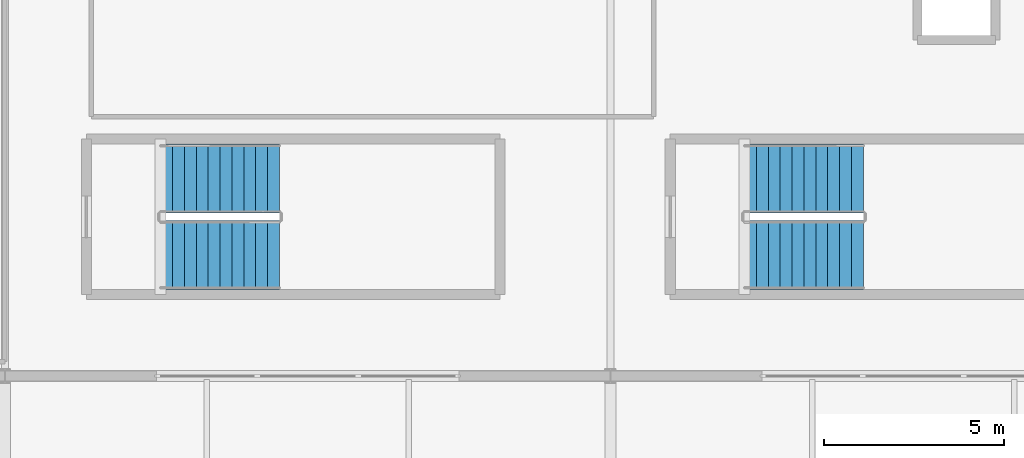
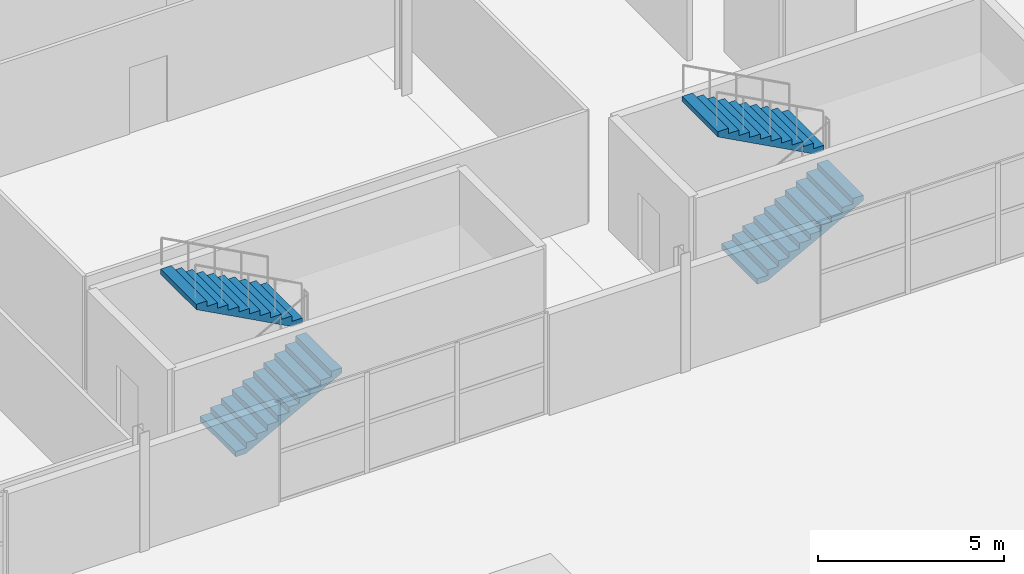
# One storey, part 32 of 36: 4 stair flights, 2 elements without a shape of their own.
"""IFC4 building model written with IfcOpenShell, lengths in metres."""

import ifcopenshell
import ifcopenshell.guid

model = None  # the IFC model being written
_history = None  # IfcOwnerHistory: only IFC2X3 demands one
_inside = {}  # id of a spatial element -> (the spatial element, [elements in it])
_under = {}  # id of a project, library or spatial element -> (it, [spatial elements below it])
_declared = {}  # id of a project -> (the project, [libraries it declares])
_typed = {}  # id of a type object -> (the type object, [elements of that type])
_made_of = {}  # id of a material, layer set ... -> (it, [elements and type objects made of it])


def new_model(schema):
    """Start an empty IFC model of exactly this schema.

    Asked for "IFC4X3", IfcOpenShell would pick the latest addendum, in which some entities
    have other attributes; the version numbers below select the first issue.
    IFC2X3 requires an IfcOwnerHistory on every rooted entity: one is made here for all.
    """
    global model, _history
    if schema == "IFC4X3":
        model = ifcopenshell.file(schema_version=(4, 3, 0, 0))
    else:
        model = ifcopenshell.file(schema=schema)
    _inside.clear()
    _under.clear()
    _declared.clear()
    _typed.clear()
    _made_of.clear()
    _history = None
    if model.schema == "IFC2X3":
        org = make("IfcOrganization", Name="unknown")
        user = make(
            "IfcPersonAndOrganization",
            ThePerson=make("IfcPerson", FamilyName="unknown"),
            TheOrganization=org,
        )
        app = make(
            "IfcApplication",
            ApplicationDeveloper=org,
            Version="unknown",
            ApplicationFullName="unknown",
            ApplicationIdentifier="unknown",
        )
        _history = make(
            "IfcOwnerHistory",
            OwningUser=user,
            OwningApplication=app,
            ChangeAction="ADDED",
            CreationDate=0,
        )
    return model


def make(cls, **values):
    """One entity of the class cls with the attributes given. An attribute that is None is left unset."""
    return model.create_entity(
        cls, **{name: value for name, value in values.items() if value is not None}
    )


def rooted(cls, **values):
    """An entity with a GlobalId (a new one), such as an element, a storey or a relation."""
    return make(cls, GlobalId=ifcopenshell.guid.new(), OwnerHistory=_history, **values)


def si_unit(unit_type, name, prefix=None):
    """IfcSIUnit, for example si_unit("LENGTHUNIT", "METRE", prefix="MILLI")."""
    return make("IfcSIUnit", UnitType=unit_type, Prefix=prefix, Name=name)


def assignment(units):
    """IfcUnitAssignment: the units of a project."""
    return None if units is None else make("IfcUnitAssignment", Units=units)


def point(xyz):
    """IfcCartesianPoint."""
    return None if xyz is None else make("IfcCartesianPoint", Coordinates=xyz)


def direction(xyz):
    """IfcDirection."""
    return None if xyz is None else make("IfcDirection", DirectionRatios=xyz)


def frame(location, z_axis=None, x_axis=None):
    """IfcAxis2Placement3D, a coordinate frame: its origin and axes. An axis left out is left unset."""
    return make(
        "IfcAxis2Placement3D",
        Location=point(location),
        Axis=direction(z_axis),
        RefDirection=direction(x_axis),
    )


def origin():
    """The frame at (0, 0, 0) with its axes left unset."""
    return frame((0.0, 0.0, 0.0))


def place(relative_to, where):
    """IfcLocalPlacement: puts the frame where relative to a parent placement (None: the world)."""
    return make(
        "IfcLocalPlacement", PlacementRelTo=relative_to, RelativePlacement=where
    )


def context(
    kind, dimensions, precision=None, world=None, true_north=None, identifier=None
):
    """IfcGeometricRepresentationContext, for example the 3D "Model" context."""
    return make(
        "IfcGeometricRepresentationContext",
        ContextIdentifier=identifier,
        ContextType=kind,
        CoordinateSpaceDimension=dimensions,
        Precision=precision,
        WorldCoordinateSystem=world,
        TrueNorth=true_north,
    )


def subcontext(parent, identifier, kind, view, scale=None):
    """IfcGeometricRepresentationSubContext, for example "Body" below "Model"."""
    return make(
        "IfcGeometricRepresentationSubContext",
        ContextIdentifier=identifier,
        ContextType=kind,
        ParentContext=parent,
        TargetScale=scale,
        TargetView=view,
    )


def project(units=None, contexts=None):
    """IfcProject with its units and contexts."""
    return rooted(
        "IfcProject",
        Name="project",
        RepresentationContexts=contexts,
        UnitsInContext=assignment(units),
    )


def spatial(cls, under=None, at=None, **own):
    """A site, building, storey or space (cls), placed at a placement, below another one or the project."""
    s = rooted(cls, ObjectPlacement=at, **own)
    if under is not None:
        _under.setdefault(under.id(), (under, []))[1].append(s)
    return s


def polyline(points):
    """IfcPolyline through the points."""
    return make("IfcPolyline", Points=[point(p) for p in points])


def outline(outer, holes=None, kind="AREA"):
    """IfcArbitraryClosedProfileDef: a profile drawn as a closed curve; with holes, ...WithVoids."""
    if holes is None:
        return make("IfcArbitraryClosedProfileDef", ProfileType=kind, OuterCurve=outer)
    return make(
        "IfcArbitraryProfileDefWithVoids",
        ProfileType=kind,
        OuterCurve=outer,
        InnerCurves=holes,
    )


def extrude(swept, where, along, depth):
    """IfcExtrudedAreaSolid: the profile swept, set in the frame where, extruded along a direction by depth."""
    return make(
        "IfcExtrudedAreaSolid",
        SweptArea=swept,
        Position=where,
        ExtrudedDirection=direction(along),
        Depth=depth,
    )


def shape(context_of_items, identifier, shape_type, items):
    """IfcShapeRepresentation: the items that make up one representation, for example the "Body"."""
    return make(
        "IfcShapeRepresentation",
        ContextOfItems=context_of_items,
        RepresentationIdentifier=identifier,
        RepresentationType=shape_type,
        Items=items,
    )


def material(Name=None, Category=None):
    """IfcMaterial."""
    return make("IfcMaterial", Name=Name, Category=Category)


def made_of(thing, what):
    """Note that an element or type object is made of a material, layer set ...; save() writes the relation."""
    if what is not None:
        _made_of.setdefault(what.id(), (what, []))[1].append(thing)
    return thing


def type_object(cls, material=None, **own):
    """A type object (cls), such as IfcWallType, which elements share."""
    return made_of(rooted(cls, **own), material)


def element(
    cls,
    number,
    at=None,
    inside=None,
    cuts=None,
    type_object=None,
    material=None,
    context=None,
    identifier="Body",
    shape_type=None,
    held_by="IfcProductDefinitionShape",
    body=None,
    shapes=None,
    **own,
):
    """One element of the class cls, such as IfcWall. Its Tag is "e" and its number.

    at: its placement. inside: the storey or other place that contains it. cuts: it is an
    opening in that element (IfcRelVoidsElement). A single representation is given by context,
    identifier, shape_type and body (its items); several are given by shapes. held_by: the class
    of the entity that holds the representations. save() writes the other relations.
    """
    e = rooted(cls, Tag="e%d" % number, ObjectPlacement=at, **own)
    if body is not None:
        shapes = [shape(context, identifier, shape_type, body)]
    if shapes is not None:
        e.Representation = make(held_by, Representations=shapes)
    if inside is not None:
        _inside.setdefault(inside.id(), (inside, []))[1].append(e)
    if cuts is not None:
        rooted(
            "IfcRelVoidsElement", RelatingBuildingElement=cuts, RelatedOpeningElement=e
        )
    if type_object is not None:
        _typed.setdefault(type_object.id(), (type_object, []))[1].append(e)
    return made_of(e, material)


def aggregate(whole, parts):
    """IfcRelAggregates: a whole, such as a stair, and the parts it consists of."""
    return rooted("IfcRelAggregates", RelatingObject=whole, RelatedObjects=parts)


def save(model, path):
    """Write the relations noted so far, then the file.

    IfcRelAggregates (storeys below a building ...), IfcRelContainedInSpatialStructure (elements
    in a storey), IfcRelDefinesByType, IfcRelAssociatesMaterial and IfcRelDeclares: one each for
    every whole, place, type object, material and project.
    """
    for whole, parts in _under.values():
        aggregate(whole, parts)
    for where, things in _inside.values():
        rooted(
            "IfcRelContainedInSpatialStructure",
            RelatedElements=things,
            RelatingStructure=where,
        )
    for kind, things in _typed.values():
        rooted("IfcRelDefinesByType", RelatedObjects=things, RelatingType=kind)
    for what, things in _made_of.values():
        rooted("IfcRelAssociatesMaterial", RelatedObjects=things, RelatingMaterial=what)
    for by, libraries in _declared.values():
        rooted("IfcRelDeclares", RelatingContext=by, RelatedDefinitions=libraries)
    model.write(path)


model = new_model("IFC4")

# Units and contexts
model_context = context("Model", 3, precision=1e-05, world=origin(), true_north=direction((0.0, 1.0)))
body_context = subcontext(model_context, "Body", "Model", "MODEL_VIEW")
ifc_project = project(units=[si_unit("LENGTHUNIT", "METRE"), si_unit("AREAUNIT", "SQUARE_METRE"), si_unit("VOLUMEUNIT", "CUBIC_METRE"), si_unit("PLANEANGLEUNIT", "RADIAN"), si_unit("MASSUNIT", "GRAM", prefix="KILO")], contexts=[model_context])

# Site, building, storey
site_placement = place(None, origin())
site = spatial("IfcSite", under=ifc_project, at=site_placement, CompositionType="ELEMENT")
building_placement = place(site_placement, origin())
building = spatial("IfcBuilding", under=site, at=building_placement, Name="Kimbaza Rail Terminus", CompositionType="ELEMENT")
storey_placement = place(building_placement, frame((0.0, 0.0, 21.0)))
storey = spatial("IfcBuildingStorey", under=building, at=storey_placement, Name="L04", CompositionType="ELEMENT", Elevation=21.0)

# Stair, stair flights
ifc_material_1 = material(Name="Concrete C40/50", Category="concrete")
stair_type = type_object("IfcStairType", Name="ARC-STR-04", PredefinedType="HALF_TURN_STAIR", material=ifc_material_1)
stair_1_placement = place(storey_placement, origin())
stair_1 = element("IfcStair", 1, at=stair_1_placement, inside=storey, type_object=stair_type, Name="L04 Operations Central Exit Stair", PredefinedType="HALF_TURN_STAIR")
ifc_material_2 = material(Name="Concrete C40/50", Category="concrete")
stair_flight_type = type_object("IfcStairFlightType", Name="ARC-SFL-04", PredefinedType="STRAIGHT", material=ifc_material_2)
stair_flight_1_placement = place(storey_placement, frame((109.919921875, 106.360107421875, 0.0), z_axis=(0.0, 0.0, 1.0), x_axis=(1.0, 0.0, 0.0)))
stair_flight_1 = element("IfcStairFlight", 2, at=stair_flight_1_placement, type_object=stair_flight_type, Name="ST-M1 flight 1", NumberOfRisers=11, NumberOfTreads=10, PredefinedType="STRAIGHT", RiserHeight=0.177272727, TreadLength=0.33, context=body_context, shape_type="SweptSolid", body=[
    extrude(outline(polyline([(0.0, 0.0), (0.0, 0.17724609375), (0.330078125, 0.17724609375), (0.330078125, 0.3544921875), (0.659912109375, 0.3544921875), (0.659912109375, 0.53173828125), (0.989990234375, 0.53173828125), (0.989990234375, 0.708984375), (1.320068359375, 0.708984375), (1.320068359375, 0.886474609375), (1.64990234375, 0.886474609375), (1.64990234375, 1.063720703125), (1.97998046875, 1.063720703125), (1.97998046875, 1.240966796875), (2.31005859375, 1.240966796875), (2.31005859375, 1.418212890625), (2.639892578125, 1.418212890625), (2.639892578125, 1.595458984375), (2.969970703125, 1.595458984375), (2.969970703125, 1.772705078125), (3.300048828125, 1.772705078125), (3.300048828125, 1.949951171875), (3.300048828125, 1.6025390625), (0.316650390625, 0.0), (0.0, 0.0)])), frame((0.0, 0.9599609375, 0.0), z_axis=(0.0, -1.0, 0.0), x_axis=(1.0, 0.0, 0.0)), (0.0, 0.0, 1.0), 1.919921875),
])
stair_flight_2_placement = place(storey_placement, frame((113.219970703125, 108.47998046875, 1.949951171875), z_axis=(0.0, 0.0, 1.0), x_axis=(-1.0, 0.0, 0.0)))
stair_flight_2 = element("IfcStairFlight", 3, at=stair_flight_2_placement, type_object=stair_flight_type, Name="ST-M1 flight 2", NumberOfRisers=11, NumberOfTreads=10, PredefinedType="STRAIGHT", RiserHeight=0.177272727, TreadLength=0.33, context=body_context, shape_type="SweptSolid", body=[
    extrude(outline(polyline([(0.0, 0.0), (0.0, 0.17724609375), (0.330078125, 0.17724609375), (0.330078125, 0.3544921875), (0.659912109375, 0.3544921875), (0.659912109375, 0.53173828125), (0.989990234375, 0.53173828125), (0.989990234375, 0.708984375), (1.320068359375, 0.708984375), (1.320068359375, 0.886474609375), (1.64990234375, 0.886474609375), (1.64990234375, 1.063720703125), (1.97998046875, 1.063720703125), (1.97998046875, 1.240966796875), (2.31005859375, 1.240966796875), (2.31005859375, 1.418212890625), (2.639892578125, 1.418212890625), (2.639892578125, 1.595458984375), (2.969970703125, 1.595458984375), (2.969970703125, 1.772705078125), (3.300048828125, 1.772705078125), (3.300048828125, 1.949951171875), (3.300048828125, 1.6025390625), (0.316650390625, 0.0), (0.0, 0.0)])), frame((0.0, 0.9599609375, 0.0), z_axis=(0.0, -1.0, 0.0), x_axis=(1.0, 0.0, 0.0)), (0.0, 0.0, 1.0), 1.919921875),
])
aggregate(stair_1, [stair_flight_1, stair_flight_2])

stair_2_placement = place(storey_placement, origin())
stair_2 = element("IfcStair", 4, at=stair_2_placement, inside=storey, type_object=stair_type, Name="L04 Operations East Exit Stair", PredefinedType="HALF_TURN_STAIR")
stair_flight_3_placement = place(storey_placement, frame((126.1201171875, 106.360107421875, 0.0), z_axis=(0.0, 0.0, 1.0), x_axis=(1.0, 0.0, 0.0)))
stair_flight_3 = element("IfcStairFlight", 5, at=stair_flight_3_placement, type_object=stair_flight_type, Name="ST-E1 flight 1", NumberOfRisers=11, NumberOfTreads=10, PredefinedType="STRAIGHT", RiserHeight=0.177272727, TreadLength=0.33, context=body_context, shape_type="SweptSolid", body=[
    extrude(outline(polyline([(0.0, 0.0), (0.0, 0.17724609375), (0.330078125, 0.17724609375), (0.330078125, 0.3544921875), (0.659912109375, 0.3544921875), (0.659912109375, 0.53173828125), (0.989990234375, 0.53173828125), (0.989990234375, 0.708984375), (1.320068359375, 0.708984375), (1.320068359375, 0.886474609375), (1.64990234375, 0.886474609375), (1.64990234375, 1.063720703125), (1.97998046875, 1.063720703125), (1.97998046875, 1.240966796875), (2.31005859375, 1.240966796875), (2.31005859375, 1.418212890625), (2.639892578125, 1.418212890625), (2.639892578125, 1.595458984375), (2.969970703125, 1.595458984375), (2.969970703125, 1.772705078125), (3.300048828125, 1.772705078125), (3.300048828125, 1.949951171875), (3.300048828125, 1.6025390625), (0.316650390625, 0.0), (0.0, 0.0)])), frame((0.0, 0.9599609375, 0.0), z_axis=(0.0, -1.0, 0.0), x_axis=(1.0, 0.0, 0.0)), (0.0, 0.0, 1.0), 1.919921875),
])
stair_flight_4_placement = place(storey_placement, frame((129.419921875, 108.47998046875, 1.949951171875), z_axis=(0.0, 0.0, 1.0), x_axis=(-1.0, 0.0, 0.0)))
stair_flight_4 = element("IfcStairFlight", 6, at=stair_flight_4_placement, type_object=stair_flight_type, Name="ST-E1 flight 2", NumberOfRisers=11, NumberOfTreads=10, PredefinedType="STRAIGHT", RiserHeight=0.177272727, TreadLength=0.33, context=body_context, shape_type="SweptSolid", body=[
    extrude(outline(polyline([(0.0, 0.0), (0.0, 0.17724609375), (0.330078125, 0.17724609375), (0.330078125, 0.3544921875), (0.659912109375, 0.3544921875), (0.659912109375, 0.53173828125), (0.989990234375, 0.53173828125), (0.989990234375, 0.708984375), (1.320068359375, 0.708984375), (1.320068359375, 0.886474609375), (1.64990234375, 0.886474609375), (1.64990234375, 1.063720703125), (1.97998046875, 1.063720703125), (1.97998046875, 1.240966796875), (2.31005859375, 1.240966796875), (2.31005859375, 1.418212890625), (2.639892578125, 1.418212890625), (2.639892578125, 1.595458984375), (2.969970703125, 1.595458984375), (2.969970703125, 1.772705078125), (3.300048828125, 1.772705078125), (3.300048828125, 1.949951171875), (3.300048828125, 1.6025390625), (0.316650390625, 0.0), (0.0, 0.0)])), frame((0.0, 0.9599609375, 0.0), z_axis=(0.0, -1.0, 0.0), x_axis=(1.0, 0.0, 0.0)), (0.0, 0.0, 1.0), 1.919921875),
])
aggregate(stair_2, [stair_flight_3, stair_flight_4])

save(model, "model.ifc")
